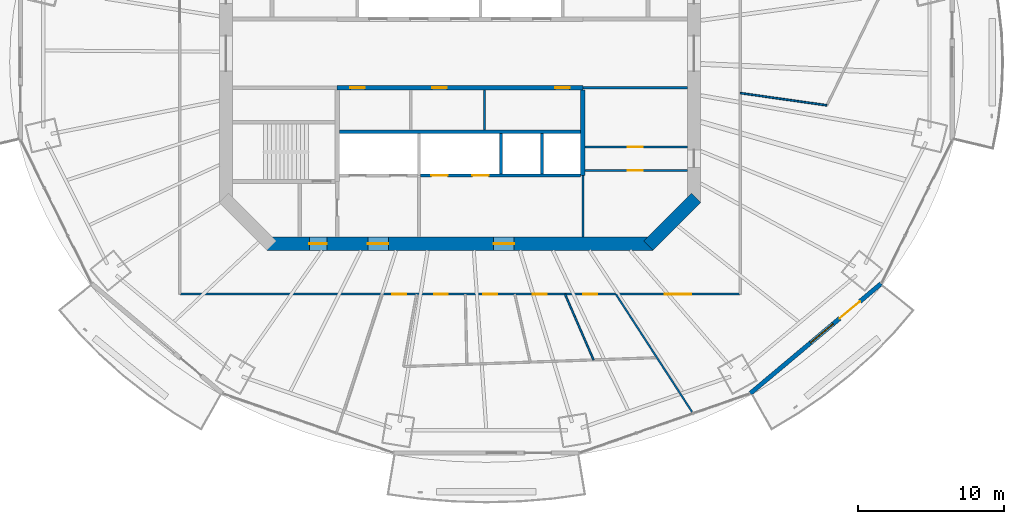
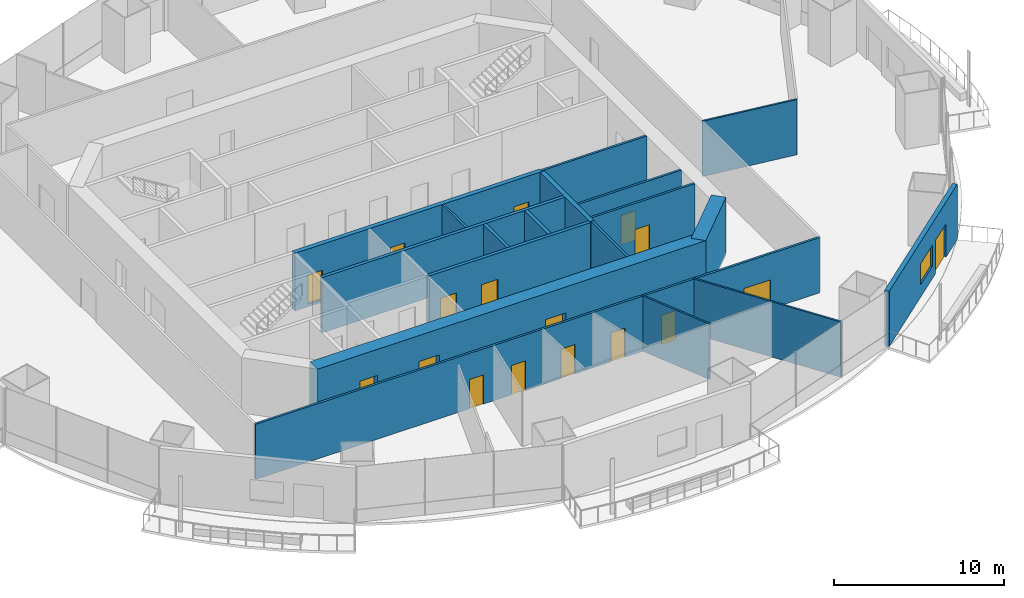
# One storey, part 12 of 20: 18 walls, 17 doors, 1 window, 18 openings.
"""IFC4 building model written with IfcOpenShell, lengths in metres."""

from ifc_helpers import new_model, si_unit, direction, frame, frame_2d, origin, place, context, subcontext, project, spatial, rectangle, extrude, material, layer, layer_set, type_object, element, fill, save


model = new_model("IFC4")

# Units and contexts
model_context = context("Model", 3, precision=1e-05, world=origin(), true_north=direction((0.0, 1.0)))
body_context = subcontext(model_context, "Body", "Model", "MODEL_VIEW")
ifc_project = project(units=[si_unit("LENGTHUNIT", "METRE"), si_unit("AREAUNIT", "SQUARE_METRE"), si_unit("VOLUMEUNIT", "CUBIC_METRE"), si_unit("PLANEANGLEUNIT", "RADIAN"), si_unit("MASSUNIT", "GRAM", prefix="KILO")], contexts=[model_context])

# Site, building, storey
site_placement = place(None, origin())
site = spatial("IfcSite", under=ifc_project, at=site_placement, CompositionType="ELEMENT")
building_placement = place(site_placement, origin())
building = spatial("IfcBuilding", under=site, at=building_placement, Name="Marenthal Gate Tower", CompositionType="ELEMENT")
storey_placement = place(building_placement, frame((0.0, 0.0, 181.800048828125)))
storey = spatial("IfcBuildingStorey", under=building, at=storey_placement, Name="L39", CompositionType="ELEMENT", Elevation=181.800048828125)

# Wall
ifc_material_1 = material(Name="Concrete 60 MPa", Category="concrete")
ifc_layer_1 = layer(ifc_material_1, 0.89990234375)
ifc_layer_set_1 = layer_set([ifc_layer_1], Name="Core shear wall 900")
wall_type_1 = type_object("IfcWallType", Name="Core shear wall 900", PredefinedType="SHEAR", material=ifc_layer_set_1)
wall_1_placement = place(storey_placement, frame((12.8681640625, -13.1318359375, -0.179931640625), z_axis=(0.0, 0.0, 1.0), x_axis=(0.707106781187, 0.707106781187, 0.0)))
element("IfcWall", 1, at=wall_1_placement, inside=storey, type_object=wall_type_1, Name="Core wall 01", PredefinedType="SHEAR", context=body_context, shape_type="SweptSolid", body=[
    extrude(rectangle(XDim=4.615478515625, YDim=0.89990234375, at=frame_2d((2.3076171875, 0.0))), origin(), (0.0, 0.0, 1.0), 4.14990234375),
])

# Wall, openings, doors
wall_2_placement = place(storey_placement, frame((-13.186279296875, -13.0, -0.179931640625), z_axis=(0.0, 0.0, 1.0), x_axis=(1.0, 0.0, 0.0)))
wall_2 = element("IfcWall", 2, at=wall_2_placement, inside=storey, type_object=wall_type_1, Name="Core wall 08", PredefinedType="SHEAR", context=body_context, shape_type="SweptSolid", body=[
    extrude(rectangle(XDim=26.37255859375, YDim=0.89990234375, at=frame_2d((13.186279296875, 0.0))), origin(), (0.0, 0.0, 1.0), 4.14990234375),
])
opening_1_placement = place(wall_2_placement, frame((2.886474609375, 0.0, 0.179931640625)))
opening_1 = element("IfcOpeningElement", 3, at=opening_1_placement, cuts=wall_2, Name="Opening D001.06", PredefinedType="OPENING", context=body_context, shape_type="SweptSolid", body=[
    extrude(rectangle(XDim=1.199951171875, YDim=2.10009765625, at=frame_2d((0.60009765625, 1.050048828125))), frame((0.0, 0.4599609375, 0.0), z_axis=(0.0, -1.0, 0.0), x_axis=(1.0, 0.0, 0.0)), (0.0, 0.0, 1.0), 0.919921875),
])
opening_2_placement = place(wall_2_placement, frame((6.886474609375, 0.0, 0.179931640625)))
opening_2 = element("IfcOpeningElement", 4, at=opening_2_placement, cuts=wall_2, Name="Opening D004.01", PredefinedType="OPENING", context=body_context, shape_type="SweptSolid", body=[
    extrude(rectangle(XDim=1.39990234375, YDim=2.10009765625, at=frame_2d((0.699951171875, 1.050048828125))), frame((0.0, 0.4599609375, 0.0), z_axis=(0.0, -1.0, 0.0), x_axis=(1.0, 0.0, 0.0)), (0.0, 0.0, 1.0), 0.919921875),
])
opening_3_placement = place(wall_2_placement, frame((15.486328125, 0.0, 0.179931640625)))
opening_3 = element("IfcOpeningElement", 5, at=opening_3_placement, cuts=wall_2, Name="Opening D004.02", PredefinedType="OPENING", context=body_context, shape_type="SweptSolid", body=[
    extrude(rectangle(XDim=1.39990234375, YDim=2.10009765625, at=frame_2d((0.699951171875, 1.050048828125))), frame((0.0, 0.4599609375, 0.0), z_axis=(0.0, -1.0, 0.0), x_axis=(1.0, 0.0, 0.0)), (0.0, 0.0, 1.0), 0.919921875),
])
ifc_material_2 = material(Name="Steel fire door", Category="steel")
door_type_1 = type_object("IfcDoorType", Name="Fire door FD 45 1400 x 2100", OperationType="NOTDEFINED", PredefinedType="DOOR", material=ifc_material_2)
door_1_placement = place(opening_2_placement, origin())
door_1 = element("IfcDoor", 6, at=door_1_placement, inside=storey, type_object=door_type_1, Name="Door D004.01", OperationType="SINGLE_SWING_RIGHT", OverallHeight=2.10009765625, OverallWidth=1.39990234375, PredefinedType="DOOR", context=body_context, shape_type="SweptSolid", body=[
    extrude(rectangle(XDim=1.39990234375, YDim=2.10009765625, at=frame_2d((0.699951171875, 1.050048828125))), frame((0.0, 0.02490234375, 0.0), z_axis=(0.0, -1.0, 0.0), x_axis=(1.0, 0.0, 0.0)), (0.0, 0.0, 1.0), 0.050048828125),
])
fill(opening_2, door_1)
door_2_placement = place(opening_3_placement, origin())
door_2 = element("IfcDoor", 7, at=door_2_placement, inside=storey, type_object=door_type_1, Name="Door D004.02", OperationType="SINGLE_SWING_RIGHT", OverallHeight=2.10009765625, OverallWidth=1.39990234375, PredefinedType="DOOR", context=body_context, shape_type="SweptSolid", body=[
    extrude(rectangle(XDim=1.39990234375, YDim=2.10009765625, at=frame_2d((0.699951171875, 1.050048828125))), frame((0.0, 0.02490234375, 0.0), z_axis=(0.0, -1.0, 0.0), x_axis=(1.0, 0.0, 0.0)), (0.0, 0.0, 1.0), 0.050048828125),
])
fill(opening_3, door_2)
ifc_material_3 = material(Name="Steel fire door", Category="steel")
door_type_2 = type_object("IfcDoorType", Name="Fire door FD 90 1200 x 2100", OperationType="NOTDEFINED", PredefinedType="DOOR", material=ifc_material_3)
door_3_placement = place(opening_1_placement, origin())
door_3 = element("IfcDoor", 8, at=door_3_placement, inside=storey, type_object=door_type_2, Name="Door D001.06", OperationType="SINGLE_SWING_RIGHT", OverallHeight=2.10009765625, OverallWidth=1.199951171875, PredefinedType="DOOR", context=body_context, shape_type="SweptSolid", body=[
    extrude(rectangle(XDim=1.199951171875, YDim=2.10009765625, at=frame_2d((0.60009765625, 1.050048828125))), frame((0.0, 0.02490234375, 0.0), z_axis=(0.0, -1.0, 0.0), x_axis=(1.0, 0.0, 0.0)), (0.0, 0.0, 1.0), 0.050048828125),
])
fill(opening_1, door_3)

ifc_material_4 = material(Name="Concrete 50 MPa", Category="concrete")
ifc_layer_2 = layer(ifc_material_4, 0.300048828125)
ifc_layer_set_2 = layer_set([ifc_layer_2], Name="Hoistway shear wall 300")
wall_type_2 = type_object("IfcWallType", Name="Hoistway shear wall 300", PredefinedType="SHEAR", material=ifc_layer_set_2)
wall_3_placement = place(storey_placement, frame((-8.39990234375, -2.35009765625, -0.179931640625), z_axis=(0.0, 0.0, 1.0), x_axis=(1.0, 0.0, 0.0)))
wall_3 = element("IfcWall", 9, at=wall_3_placement, inside=storey, type_object=wall_type_2, Name="Hoistway wall 17", PredefinedType="SHEAR", context=body_context, shape_type="SweptSolid", body=[
    extrude(rectangle(XDim=16.7998046875, YDim=0.300048828125, at=frame_2d((8.39990234375, 0.0))), origin(), (0.0, 0.0, 1.0), 4.14990234375),
])
opening_4_placement = place(wall_3_placement, frame((0.89990234375, 0.0, 0.179931640625)))
opening_4 = element("IfcOpeningElement", 10, at=opening_4_placement, cuts=wall_3, Name="Opening D005.01", PredefinedType="OPENING", context=body_context, shape_type="SweptSolid", body=[
    extrude(rectangle(XDim=1.0, YDim=2.10009765625, at=frame_2d((0.5, 1.050048828125))), frame((0.0, 0.16015625, 0.0), z_axis=(0.0, -1.0, 0.0), x_axis=(1.0, 0.0, 0.0)), (0.0, 0.0, 1.0), 0.320068359375),
])
opening_5_placement = place(wall_3_placement, frame((6.5, 0.0, 0.179931640625)))
opening_5 = element("IfcOpeningElement", 11, at=opening_5_placement, cuts=wall_3, Name="Opening D005.02", PredefinedType="OPENING", context=body_context, shape_type="SweptSolid", body=[
    extrude(rectangle(XDim=1.0, YDim=2.10009765625, at=frame_2d((0.5, 1.050048828125))), frame((0.0, 0.16015625, 0.0), z_axis=(0.0, -1.0, 0.0), x_axis=(1.0, 0.0, 0.0)), (0.0, 0.0, 1.0), 0.320068359375),
])
opening_6_placement = place(wall_3_placement, frame((14.89990234375, 0.0, 0.179931640625)))
opening_6 = element("IfcOpeningElement", 12, at=opening_6_placement, cuts=wall_3, Name="Opening D005.03", PredefinedType="OPENING", context=body_context, shape_type="SweptSolid", body=[
    extrude(rectangle(XDim=1.0, YDim=2.10009765625, at=frame_2d((0.5, 1.050048828125))), frame((0.0, 0.16015625, 0.0), z_axis=(0.0, -1.0, 0.0), x_axis=(1.0, 0.0, 0.0)), (0.0, 0.0, 1.0), 0.320068359375),
])
ifc_material_5 = material(Name="Steel fire door", Category="steel")
door_type_3 = type_object("IfcDoorType", Name="Fire door FD 45 1000 x 2100", OperationType="NOTDEFINED", PredefinedType="DOOR", material=ifc_material_5)
door_4_placement = place(opening_4_placement, frame((1.0, 0.0, 0.0), z_axis=(0.0, 0.0, 1.0), x_axis=(-1.0, 0.0, 0.0)))
door_4 = element("IfcDoor", 13, at=door_4_placement, inside=storey, type_object=door_type_3, Name="Door D005.01", OperationType="SINGLE_SWING_LEFT", OverallHeight=2.10009765625, OverallWidth=1.0, PredefinedType="DOOR", context=body_context, shape_type="SweptSolid", body=[
    extrude(rectangle(XDim=1.0, YDim=2.10009765625, at=frame_2d((0.5, 1.050048828125))), frame((0.0, 0.02490234375, 0.0), z_axis=(0.0, -1.0, 0.0), x_axis=(1.0, 0.0, 0.0)), (0.0, 0.0, 1.0), 0.050048828125),
])
fill(opening_4, door_4)
door_5_placement = place(opening_5_placement, frame((1.0, 0.0, 0.0), z_axis=(0.0, 0.0, 1.0), x_axis=(-1.0, 0.0, 0.0)))
door_5 = element("IfcDoor", 14, at=door_5_placement, inside=storey, type_object=door_type_3, Name="Door D005.02", OperationType="SINGLE_SWING_LEFT", OverallHeight=2.10009765625, OverallWidth=1.0, PredefinedType="DOOR", context=body_context, shape_type="SweptSolid", body=[
    extrude(rectangle(XDim=1.0, YDim=2.10009765625, at=frame_2d((0.5, 1.050048828125))), frame((0.0, 0.02490234375, 0.0), z_axis=(0.0, -1.0, 0.0), x_axis=(1.0, 0.0, 0.0)), (0.0, 0.0, 1.0), 0.050048828125),
])
fill(opening_5, door_5)
door_6_placement = place(opening_6_placement, frame((1.0, 0.0, 0.0), z_axis=(0.0, 0.0, 1.0), x_axis=(-1.0, 0.0, 0.0)))
door_6 = element("IfcDoor", 15, at=door_6_placement, inside=storey, type_object=door_type_3, Name="Door D005.03", OperationType="SINGLE_SWING_LEFT", OverallHeight=2.10009765625, OverallWidth=1.0, PredefinedType="DOOR", context=body_context, shape_type="SweptSolid", body=[
    extrude(rectangle(XDim=1.0, YDim=2.10009765625, at=frame_2d((0.5, 1.050048828125))), frame((0.0, 0.02490234375, 0.0), z_axis=(0.0, -1.0, 0.0), x_axis=(1.0, 0.0, 0.0)), (0.0, 0.0, 1.0), 0.050048828125),
])
fill(opening_6, door_6)

# Wall
wall_4_placement = place(storey_placement, frame((8.39990234375, -8.35009765625, -0.179931640625), z_axis=(0.0, 0.0, 1.0), x_axis=(0.0, 1.0, 0.0)))
element("IfcWall", 16, at=wall_4_placement, inside=storey, type_object=wall_type_2, Name="Hoistway wall 46", PredefinedType="SHEAR", context=body_context, shape_type="SweptSolid", body=[
    extrude(rectangle(XDim=5.85009765625, YDim=0.300048828125, at=frame_2d((2.925048828125, 0.0))), origin(), (0.0, 0.0, 1.0), 4.14990234375),
])

# Wall, openings, doors
ifc_material_6 = material(Name="Concrete 40 MPa", Category="concrete")
ifc_layer_3 = layer(ifc_material_6, 0.219970703125)
ifc_layer_set_3 = layer_set([ifc_layer_3], Name="Hoistway wall 220")
wall_type_3 = type_object("IfcWallType", Name="Hoistway wall 220", PredefinedType="STANDARD", material=ifc_layer_set_3)
wall_5_placement = place(storey_placement, frame((-2.68994140625, -8.35009765625, 0.0), z_axis=(0.0, 0.0, 1.0), x_axis=(1.0, 0.0, 0.0)))
wall_5 = element("IfcWall", 17, at=wall_5_placement, inside=storey, type_object=wall_type_3, Name="Hoistway wall 11", PredefinedType="STANDARD", context=body_context, shape_type="SweptSolid", body=[
    extrude(rectangle(XDim=10.93994140625, YDim=0.219970703125, at=frame_2d((5.469970703125, 0.0))), origin(), (0.0, 0.0, 1.0), 3.969970703125),
])
opening_7_placement = place(wall_5_placement, frame((0.739990234375, 0.0, 0.0)))
opening_7 = element("IfcOpeningElement", 18, at=opening_7_placement, cuts=wall_5, Name="Opening LD-SV1", PredefinedType="OPENING", context=body_context, shape_type="SweptSolid", body=[
    extrude(rectangle(XDim=1.10009765625, YDim=2.10009765625, at=frame_2d((0.550048828125, 1.050048828125))), frame((0.0, 0.1201171875, 0.0), z_axis=(0.0, -1.0, 0.0), x_axis=(1.0, 0.0, 0.0)), (0.0, 0.0, 1.0), 0.239990234375),
])
opening_8_placement = place(wall_5_placement, frame((3.5400390625, 0.0, 0.0)))
opening_8 = element("IfcOpeningElement", 19, at=opening_8_placement, cuts=wall_5, Name="Opening LD-SV2", PredefinedType="OPENING", context=body_context, shape_type="SweptSolid", body=[
    extrude(rectangle(XDim=1.10009765625, YDim=2.10009765625, at=frame_2d((0.550048828125, 1.050048828125))), frame((0.0, 0.1201171875, 0.0), z_axis=(0.0, -1.0, 0.0), x_axis=(1.0, 0.0, 0.0)), (0.0, 0.0, 1.0), 0.239990234375),
])
ifc_material_7 = material(Name="Stainless steel sliding door", Category="steel")
door_type_4 = type_object("IfcDoorType", Name="Lift landing door FD 90 1100 x 2100", OperationType="DOUBLE_DOOR_SLIDING", PredefinedType="DOOR", material=ifc_material_7)
door_7_placement = place(opening_7_placement, origin())
door_7 = element("IfcDoor", 20, at=door_7_placement, inside=storey, type_object=door_type_4, Name="Lift landing door SV1", OperationType="DOUBLE_DOOR_SLIDING", OverallHeight=2.10009765625, OverallWidth=1.10009765625, PredefinedType="DOOR", context=body_context, shape_type="SweptSolid", body=[
    extrude(rectangle(XDim=1.10009765625, YDim=2.10009765625, at=frame_2d((0.550048828125, 1.050048828125))), frame((0.0, 0.02490234375, 0.0), z_axis=(0.0, -1.0, 0.0), x_axis=(1.0, 0.0, 0.0)), (0.0, 0.0, 1.0), 0.050048828125),
])
fill(opening_7, door_7)
door_8_placement = place(opening_8_placement, origin())
door_8 = element("IfcDoor", 21, at=door_8_placement, inside=storey, type_object=door_type_4, Name="Lift landing door SV2", OperationType="DOUBLE_DOOR_SLIDING", OverallHeight=2.10009765625, OverallWidth=1.10009765625, PredefinedType="DOOR", context=body_context, shape_type="SweptSolid", body=[
    extrude(rectangle(XDim=1.10009765625, YDim=2.10009765625, at=frame_2d((0.550048828125, 1.050048828125))), frame((0.0, 0.02490234375, 0.0), z_axis=(0.0, -1.0, 0.0), x_axis=(1.0, 0.0, 0.0)), (0.0, 0.0, 1.0), 0.050048828125),
])
fill(opening_8, door_8)

# Walls
wall_6_placement = place(storey_placement, frame((-8.25, -5.35009765625, 0.0), z_axis=(0.0, 0.0, 1.0), x_axis=(1.0, 0.0, 0.0)))
element("IfcWall", 22, at=wall_6_placement, inside=storey, type_object=wall_type_3, Name="Hoistway wall 14", PredefinedType="STANDARD", context=body_context, shape_type="SweptSolid", body=[
    extrude(rectangle(XDim=16.5, YDim=0.219970703125, at=frame_2d((8.25, 0.0))), origin(), (0.0, 0.0, 1.0), 3.969970703125),
])
for number, where, z_axis, x_axis, name in (
    (23, (2.800048828125, -8.239990234375, 0.0), (0.0, 0.0, 1.0), (0.0, 1.0, 0.0), "Hoistway wall 40"),
    (24, (5.60009765625, -8.239990234375, 0.0), (0.0, 0.0, 1.0), (0.0, 1.0, 0.0), "Hoistway wall 43"),
):
    element("IfcWall", number, at=place(storey_placement, frame(where, z_axis=z_axis, x_axis=x_axis)), inside=storey, type_object=wall_type_3, Name=name, PredefinedType="STANDARD", context=body_context, shape_type="SweptSolid", body=[
        extrude(rectangle(XDim=2.780029296875, YDim=0.219970703125, at=frame_2d((1.39013671875, 0.0))), origin(), (0.0, 0.0, 1.0), 3.969970703125),
    ])
ifc_material_8 = material(Name="Gypsum board on steel studs", Category="steel")
ifc_layer_4 = layer(ifc_material_8, 0.1201171875)
ifc_layer_set_4 = layer_set([ifc_layer_4], Name="Partition 120")
wall_type_4 = type_object("IfcWallType", Name="Partition 120", PredefinedType="PARTITIONING", material=ifc_layer_set_4)
wall_7_placement = place(storey_placement, frame((9.12939453125, -20.9423828125, 0.0), z_axis=(0.0, 0.0, 1.0), x_axis=(-0.399629429377, 0.916676780101, 0.0)))
element("IfcWall", 25, at=wall_7_placement, inside=storey, type_object=wall_type_4, Name="Partition wall 61", PredefinedType="PARTITIONING", context=body_context, shape_type="SweptSolid", body=[
    extrude(rectangle(XDim=4.90087890625, YDim=0.1201171875, at=frame_2d((2.450439453125, 0.0))), origin(), (0.0, 0.0, 1.0), 3.969970703125),
])
wall_8_placement = place(storey_placement, frame((10.649169921875, -16.449951171875, 0.0), z_axis=(0.0, 0.0, 1.0), x_axis=(0.5434327779, -0.839452688306, 0.0)))
element("IfcWall", 26, at=wall_8_placement, inside=storey, type_object=wall_type_4, Name="Partition wall 62", PredefinedType="PARTITIONING", context=body_context, shape_type="SweptSolid", body=[
    extrude(rectangle(XDim=9.703857421875, YDim=0.1201171875, at=frame_2d((4.85205078125, 0.0))), origin(), (0.0, 0.0, 1.0), 3.969970703125),
])
wall_9_placement = place(storey_placement, frame((25.072998046875, -3.546630859375, 0.0), z_axis=(0.0, 0.0, 1.0), x_axis=(-0.990142016785, 0.140067078917, 0.0)))
element("IfcWall", 27, at=wall_9_placement, inside=storey, type_object=wall_type_4, Name="Partition wall 68", PredefinedType="PARTITIONING", context=body_context, shape_type="SweptSolid", body=[
    extrude(rectangle(XDim=5.982177734375, YDim=0.1201171875, at=frame_2d((2.9912109375, 0.0))), origin(), (0.0, 0.0, 1.0), 3.969970703125),
])

# Wall, opening, door
ifc_material_9 = material(Name="Gypsum board on steel studs", Category="steel")
ifc_layer_5 = layer(ifc_material_9, 0.14990234375)
ifc_layer_set_5 = layer_set([ifc_layer_5], Name="Partition 150")
wall_type_5 = type_object("IfcWallType", Name="Partition 150", PredefinedType="PARTITIONING", material=ifc_layer_set_5)
wall_10_placement = place(storey_placement, frame((8.550048828125, -8.0, 0.0), z_axis=(0.0, 0.0, 1.0), x_axis=(1.0, 0.0, 0.0)))
wall_10 = element("IfcWall", 28, at=wall_10_placement, inside=storey, type_object=wall_type_5, Name="Partition wall 12", PredefinedType="PARTITIONING", context=body_context, shape_type="SweptSolid", body=[
    extrude(rectangle(XDim=7.0, YDim=0.14990234375, at=frame_2d((3.5, 0.0))), origin(), (0.0, 0.0, 1.0), 3.969970703125),
])
opening_9_placement = place(wall_10_placement, frame((2.925048828125, 0.0, 0.0)))
opening_9 = element("IfcOpeningElement", 29, at=opening_9_placement, cuts=wall_10, Name="Opening D005.07", PredefinedType="OPENING", context=body_context, shape_type="SweptSolid", body=[
    extrude(rectangle(XDim=1.0, YDim=2.10009765625, at=frame_2d((0.5, 1.050048828125))), frame((0.0, 0.0849609375, 0.0), z_axis=(0.0, -1.0, 0.0), x_axis=(1.0, 0.0, 0.0)), (0.0, 0.0, 1.0), 0.169921875),
])
door_9_placement = place(opening_9_placement, frame((1.0, 0.0, 0.0), z_axis=(0.0, 0.0, 1.0), x_axis=(-1.0, 0.0, 0.0)))
door_9 = element("IfcDoor", 30, at=door_9_placement, inside=storey, type_object=door_type_3, Name="Door D005.07", OperationType="SINGLE_SWING_LEFT", OverallHeight=2.10009765625, OverallWidth=1.0, PredefinedType="DOOR", context=body_context, shape_type="SweptSolid", body=[
    extrude(rectangle(XDim=1.0, YDim=2.10009765625, at=frame_2d((0.5, 1.050048828125))), frame((0.0, 0.02490234375, 0.0), z_axis=(0.0, -1.0, 0.0), x_axis=(1.0, 0.0, 0.0)), (0.0, 0.0, 1.0), 0.050048828125),
])
fill(opening_9, door_9)

wall_11_placement = place(storey_placement, frame((8.550048828125, -6.39990234375, 0.0), z_axis=(0.0, 0.0, 1.0), x_axis=(1.0, 0.0, 0.0)))
wall_11 = element("IfcWall", 31, at=wall_11_placement, inside=storey, type_object=wall_type_5, Name="Partition wall 13", PredefinedType="PARTITIONING", context=body_context, shape_type="SweptSolid", body=[
    extrude(rectangle(XDim=7.0, YDim=0.14990234375, at=frame_2d((3.5, 0.0))), origin(), (0.0, 0.0, 1.0), 3.969970703125),
])
opening_10_placement = place(wall_11_placement, frame((2.925048828125, 0.0, 0.0)))
opening_10 = element("IfcOpeningElement", 32, at=opening_10_placement, cuts=wall_11, Name="Opening D005.06", PredefinedType="OPENING", context=body_context, shape_type="SweptSolid", body=[
    extrude(rectangle(XDim=1.0, YDim=2.10009765625, at=frame_2d((0.5, 1.050048828125))), frame((0.0, 0.0849609375, 0.0), z_axis=(0.0, -1.0, 0.0), x_axis=(1.0, 0.0, 0.0)), (0.0, 0.0, 1.0), 0.169921875),
])
door_10_placement = place(opening_10_placement, origin())
door_10 = element("IfcDoor", 33, at=door_10_placement, inside=storey, type_object=door_type_3, Name="Door D005.06", OperationType="SINGLE_SWING_RIGHT", OverallHeight=2.10009765625, OverallWidth=1.0, PredefinedType="DOOR", context=body_context, shape_type="SweptSolid", body=[
    extrude(rectangle(XDim=1.0, YDim=2.10009765625, at=frame_2d((0.5, 1.050048828125))), frame((0.0, 0.02490234375, 0.0), z_axis=(0.0, -1.0, 0.0), x_axis=(1.0, 0.0, 0.0)), (0.0, 0.0, 1.0), 0.050048828125),
])
fill(opening_10, door_10)

# Walls
wall_12_placement = place(storey_placement, frame((8.39990234375, -2.35009765625, 0.0), z_axis=(0.0, 0.0, 1.0), x_axis=(1.0, 0.0, 0.0)))
element("IfcWall", 34, at=wall_12_placement, inside=storey, type_object=wall_type_5, Name="Partition wall 18", PredefinedType="PARTITIONING", context=body_context, shape_type="SweptSolid", body=[
    extrude(rectangle(XDim=7.150146484375, YDim=0.14990234375, at=frame_2d((3.5751953125, 0.0))), origin(), (0.0, 0.0, 1.0), 3.969970703125),
])
wall_13_placement = place(storey_placement, frame((1.679931640625, -5.239990234375, 0.0), z_axis=(0.0, 0.0, 1.0), x_axis=(0.0, 1.0, 0.0)))
element("IfcWall", 35, at=wall_13_placement, inside=storey, type_object=wall_type_5, Name="Partition wall 39", PredefinedType="PARTITIONING", context=body_context, shape_type="SweptSolid", body=[
    extrude(rectangle(XDim=2.739990234375, YDim=0.14990234375, at=frame_2d((1.3701171875, 0.0))), origin(), (0.0, 0.0, 1.0), 3.969970703125),
])
wall_14_placement = place(storey_placement, frame((8.39990234375, -12.550048828125, 0.0), z_axis=(0.0, 0.0, 1.0), x_axis=(0.0, 1.0, 0.0)))
element("IfcWall", 36, at=wall_14_placement, inside=storey, type_object=wall_type_5, Name="Partition wall 45", PredefinedType="PARTITIONING", context=body_context, shape_type="SweptSolid", body=[
    extrude(rectangle(XDim=4.199951171875, YDim=0.14990234375, at=frame_2d((2.10009765625, 0.0))), origin(), (0.0, 0.0, 1.0), 3.969970703125),
])

# Wall, openings, doors
wall_15_placement = place(storey_placement, frame((19.14990234375, -16.449951171875, 0.0), z_axis=(0.0, 0.0, 1.0), x_axis=(-1.0, 0.0, 0.0)))
wall_15 = element("IfcWall", 37, at=wall_15_placement, inside=storey, type_object=wall_type_5, Name="Partition wall 65", PredefinedType="PARTITIONING", context=body_context, shape_type="SweptSolid", body=[
    extrude(rectangle(XDim=38.2998046875, YDim=0.14990234375, at=frame_2d((19.14990234375, 0.0))), origin(), (0.0, 0.0, 1.0), 3.969970703125),
])
opening_11_placement = place(wall_15_placement, frame((19.97607421875, 0.0, 0.0)))
opening_11 = element("IfcOpeningElement", 38, at=opening_11_placement, cuts=wall_15, Name="Opening D016.01", PredefinedType="OPENING", context=body_context, shape_type="SweptSolid", body=[
    extrude(rectangle(XDim=0.949951171875, YDim=2.10009765625, at=frame_2d((0.47509765625, 1.050048828125))), frame((0.0, 0.0849609375, 0.0), z_axis=(0.0, -1.0, 0.0), x_axis=(1.0, 0.0, 0.0)), (0.0, 0.0, 1.0), 0.169921875),
])
opening_12_placement = place(wall_15_placement, frame((16.62109375, 0.0, 0.0)))
opening_12 = element("IfcOpeningElement", 39, at=opening_12_placement, cuts=wall_15, Name="Opening D016.02", PredefinedType="OPENING", context=body_context, shape_type="SweptSolid", body=[
    extrude(rectangle(XDim=0.949951171875, YDim=2.10009765625, at=frame_2d((0.47509765625, 1.050048828125))), frame((0.0, 0.0849609375, 0.0), z_axis=(0.0, -1.0, 0.0), x_axis=(1.0, 0.0, 0.0)), (0.0, 0.0, 1.0), 0.169921875),
])
opening_13_placement = place(wall_15_placement, frame((13.218017578125, 0.0, 0.0)))
opening_13 = element("IfcOpeningElement", 40, at=opening_13_placement, cuts=wall_15, Name="Opening D016.03", PredefinedType="OPENING", context=body_context, shape_type="SweptSolid", body=[
    extrude(rectangle(XDim=0.949951171875, YDim=2.10009765625, at=frame_2d((0.47509765625, 1.050048828125))), frame((0.0, 0.0849609375, 0.0), z_axis=(0.0, -1.0, 0.0), x_axis=(1.0, 0.0, 0.0)), (0.0, 0.0, 1.0), 0.169921875),
])
opening_14_placement = place(wall_15_placement, frame((9.764892578125, 0.0, 0.0)))
opening_14 = element("IfcOpeningElement", 41, at=opening_14_placement, cuts=wall_15, Name="Opening D016.04", PredefinedType="OPENING", context=body_context, shape_type="SweptSolid", body=[
    extrude(rectangle(XDim=0.949951171875, YDim=2.10009765625, at=frame_2d((0.47509765625, 1.050048828125))), frame((0.0, 0.0849609375, 0.0), z_axis=(0.0, -1.0, 0.0), x_axis=(1.0, 0.0, 0.0)), (0.0, 0.0, 1.0), 0.169921875),
])
opening_15_placement = place(wall_15_placement, frame((22.833984375, 0.0, 0.0)))
opening_15 = element("IfcOpeningElement", 42, at=opening_15_placement, cuts=wall_15, Name="Opening D016.05", PredefinedType="OPENING", context=body_context, shape_type="SweptSolid", body=[
    extrude(rectangle(XDim=0.949951171875, YDim=2.10009765625, at=frame_2d((0.47509765625, 1.050048828125))), frame((0.0, 0.0849609375, 0.0), z_axis=(0.0, -1.0, 0.0), x_axis=(1.0, 0.0, 0.0)), (0.0, 0.0, 1.0), 0.169921875),
])
opening_16_placement = place(wall_15_placement, frame((3.35009765625, 0.0, 0.0)))
opening_16 = element("IfcOpeningElement", 43, at=opening_16_placement, cuts=wall_15, Name="Opening D014.03", PredefinedType="OPENING", context=body_context, shape_type="SweptSolid", body=[
    extrude(rectangle(XDim=1.800048828125, YDim=2.10009765625, at=frame_2d((0.89990234375, 1.050048828125))), frame((0.0, 0.0849609375, 0.0), z_axis=(0.0, -1.0, 0.0), x_axis=(1.0, 0.0, 0.0)), (0.0, 0.0, 1.0), 0.169921875),
])
ifc_material_10 = material(Name="Timber door", Category="wood")
door_type_5 = type_object("IfcDoorType", Name="Door 950 x 2100", OperationType="NOTDEFINED", PredefinedType="DOOR", material=ifc_material_10)
door_11_placement = place(opening_11_placement, origin())
door_11 = element("IfcDoor", 44, at=door_11_placement, inside=storey, type_object=door_type_5, Name="Door D016.01", OperationType="SINGLE_SWING_RIGHT", OverallHeight=2.10009765625, OverallWidth=0.949951171875, PredefinedType="DOOR", context=body_context, shape_type="SweptSolid", body=[
    extrude(rectangle(XDim=0.949951171875, YDim=2.10009765625, at=frame_2d((0.47509765625, 1.050048828125))), frame((0.0, 0.02490234375, 0.0), z_axis=(0.0, -1.0, 0.0), x_axis=(1.0, 0.0, 0.0)), (0.0, 0.0, 1.0), 0.050048828125),
])
fill(opening_11, door_11)
door_12_placement = place(opening_12_placement, origin())
door_12 = element("IfcDoor", 45, at=door_12_placement, inside=storey, type_object=door_type_5, Name="Door D016.02", OperationType="SINGLE_SWING_RIGHT", OverallHeight=2.10009765625, OverallWidth=0.949951171875, PredefinedType="DOOR", context=body_context, shape_type="SweptSolid", body=[
    extrude(rectangle(XDim=0.949951171875, YDim=2.10009765625, at=frame_2d((0.47509765625, 1.050048828125))), frame((0.0, 0.02490234375, 0.0), z_axis=(0.0, -1.0, 0.0), x_axis=(1.0, 0.0, 0.0)), (0.0, 0.0, 1.0), 0.050048828125),
])
fill(opening_12, door_12)
door_13_placement = place(opening_13_placement, origin())
door_13 = element("IfcDoor", 46, at=door_13_placement, inside=storey, type_object=door_type_5, Name="Door D016.03", OperationType="SINGLE_SWING_RIGHT", OverallHeight=2.10009765625, OverallWidth=0.949951171875, PredefinedType="DOOR", context=body_context, shape_type="SweptSolid", body=[
    extrude(rectangle(XDim=0.949951171875, YDim=2.10009765625, at=frame_2d((0.47509765625, 1.050048828125))), frame((0.0, 0.02490234375, 0.0), z_axis=(0.0, -1.0, 0.0), x_axis=(1.0, 0.0, 0.0)), (0.0, 0.0, 1.0), 0.050048828125),
])
fill(opening_13, door_13)
door_14_placement = place(opening_14_placement, origin())
door_14 = element("IfcDoor", 47, at=door_14_placement, inside=storey, type_object=door_type_5, Name="Door D016.04", OperationType="SINGLE_SWING_RIGHT", OverallHeight=2.10009765625, OverallWidth=0.949951171875, PredefinedType="DOOR", context=body_context, shape_type="SweptSolid", body=[
    extrude(rectangle(XDim=0.949951171875, YDim=2.10009765625, at=frame_2d((0.47509765625, 1.050048828125))), frame((0.0, 0.02490234375, 0.0), z_axis=(0.0, -1.0, 0.0), x_axis=(1.0, 0.0, 0.0)), (0.0, 0.0, 1.0), 0.050048828125),
])
fill(opening_14, door_14)
door_15_placement = place(opening_15_placement, origin())
door_15 = element("IfcDoor", 48, at=door_15_placement, inside=storey, type_object=door_type_5, Name="Door D016.05", OperationType="SINGLE_SWING_RIGHT", OverallHeight=2.10009765625, OverallWidth=0.949951171875, PredefinedType="DOOR", context=body_context, shape_type="SweptSolid", body=[
    extrude(rectangle(XDim=0.949951171875, YDim=2.10009765625, at=frame_2d((0.47509765625, 1.050048828125))), frame((0.0, 0.02490234375, 0.0), z_axis=(0.0, -1.0, 0.0), x_axis=(1.0, 0.0, 0.0)), (0.0, 0.0, 1.0), 0.050048828125),
])
fill(opening_15, door_15)
ifc_material_11 = material(Name="Timber door", Category="wood")
door_type_6 = type_object("IfcDoorType", Name="Double door 1800 x 2100", OperationType="DOUBLE_DOOR_SINGLE_SWING", PredefinedType="DOOR", material=ifc_material_11)
door_16_placement = place(opening_16_placement, origin())
door_16 = element("IfcDoor", 49, at=door_16_placement, inside=storey, type_object=door_type_6, Name="Door D014.03", OperationType="DOUBLE_DOOR_SINGLE_SWING", OverallHeight=2.10009765625, OverallWidth=1.800048828125, PredefinedType="DOOR", context=body_context, shape_type="SweptSolid", body=[
    extrude(rectangle(XDim=1.800048828125, YDim=2.10009765625, at=frame_2d((0.89990234375, 1.050048828125))), frame((0.0, 0.02490234375, 0.0), z_axis=(0.0, -1.0, 0.0), x_axis=(1.0, 0.0, 0.0)), (0.0, 0.0, 1.0), 0.050048828125),
])
fill(opening_16, door_16)

# Wall, openings, door, window
ifc_material_12 = material(Name="Terracotta cladding on insulated concrete-block backing", Category="masonry")
ifc_layer_6 = layer(ifc_material_12, 0.300048828125)
ifc_layer_set_6 = layer_set([ifc_layer_6], Name="Terracotta facade wall 300")
wall_type_6 = type_object("IfcWallType", Name="Terracotta facade wall 300", PredefinedType="SOLIDWALL", material=ifc_layer_set_6)
wall_16_placement = place(storey_placement, frame((19.83203125, -23.237548828125, 0.0), z_axis=(0.0, 0.0, 1.0), x_axis=(0.766159362154, 0.642650629645, 0.0)))
wall_16 = element("IfcWall", 50, at=wall_16_placement, inside=storey, type_object=wall_type_6, Name="Terracotta facade wall L39 bay 14", PredefinedType="SOLIDWALL", context=body_context, shape_type="SweptSolid", body=[
    extrude(rectangle(XDim=11.688232421875, YDim=0.300048828125, at=frame_2d((5.84423828125, 0.0))), origin(), (0.0, 0.0, 1.0), 3.969970703125),
])
opening_17_placement = place(wall_16_placement, frame((7.98828125, 0.0, 0.0)))
opening_17 = element("IfcOpeningElement", 51, at=opening_17_placement, cuts=wall_16, Name="Opening BD-L39-14", PredefinedType="OPENING", context=body_context, shape_type="SweptSolid", body=[
    extrude(rectangle(XDim=1.800048828125, YDim=2.39990234375, at=frame_2d((0.89990234375, 1.199951171875))), frame((0.0, 0.16015625, 0.0), z_axis=(0.0, -1.0, 0.0), x_axis=(1.0, 0.0, 0.0)), (0.0, 0.0, 1.0), 0.320068359375),
])
opening_18_placement = place(wall_16_placement, frame((5.38818359375, 0.0, 0.89990234375)))
opening_18 = element("IfcOpeningElement", 52, at=opening_18_placement, cuts=wall_16, Name="Opening WN2-L39-14", PredefinedType="OPENING", context=body_context, shape_type="SweptSolid", body=[
    extrude(rectangle(XDim=2.0, YDim=1.5, at=frame_2d((1.0, 0.75))), frame((0.0, 0.16015625, 0.0), z_axis=(0.0, -1.0, 0.0), x_axis=(1.0, 0.0, 0.0)), (0.0, 0.0, 1.0), 0.320068359375),
])
ifc_material_13 = material(Name="Aluminium and glass", Category="aluminium")
door_type_7 = type_object("IfcDoorType", Name="Balcony door 1800x2400", OperationType="DOUBLE_DOOR_SINGLE_SWING", PredefinedType="DOOR", material=ifc_material_13)
door_17_placement = place(opening_17_placement, origin())
door_17 = element("IfcDoor", 53, at=door_17_placement, inside=storey, type_object=door_type_7, Name="Balcony door L39 bay 14", OperationType="SINGLE_SWING_LEFT", OverallHeight=2.39990234375, OverallWidth=1.800048828125, PredefinedType="DOOR", context=body_context, shape_type="SweptSolid", body=[
    extrude(rectangle(XDim=1.800048828125, YDim=2.39990234375, at=frame_2d((0.89990234375, 1.199951171875))), frame((0.0, 0.02490234375, 0.0), z_axis=(0.0, -1.0, 0.0), x_axis=(1.0, 0.0, 0.0)), (0.0, 0.0, 1.0), 0.050048828125),
])
fill(opening_17, door_17)
ifc_material_14 = material(Name="Aluminium and glass", Category="aluminium")
window_type = type_object("IfcWindowType", Name="Window 2000x1500", PartitioningType="DOUBLE_PANEL_VERTICAL", PredefinedType="WINDOW", material=ifc_material_14)
window_placement = place(opening_18_placement, origin())
window = element("IfcWindow", 54, at=window_placement, inside=storey, type_object=window_type, Name="Window L39 bay 14", OverallHeight=1.5, OverallWidth=2.0, PartitioningType="SINGLE_PANEL", PredefinedType="WINDOW", context=body_context, shape_type="SweptSolid", body=[
    extrude(rectangle(XDim=2.0, YDim=1.5, at=frame_2d((1.0, 0.75))), frame((0.0, 0.030029296875, 0.0), z_axis=(0.0, -1.0, 0.0), x_axis=(1.0, 0.0, 0.0)), (0.0, 0.0, 1.0), 0.06005859375),
])
fill(opening_18, window)

save(model, "model.ifc")
